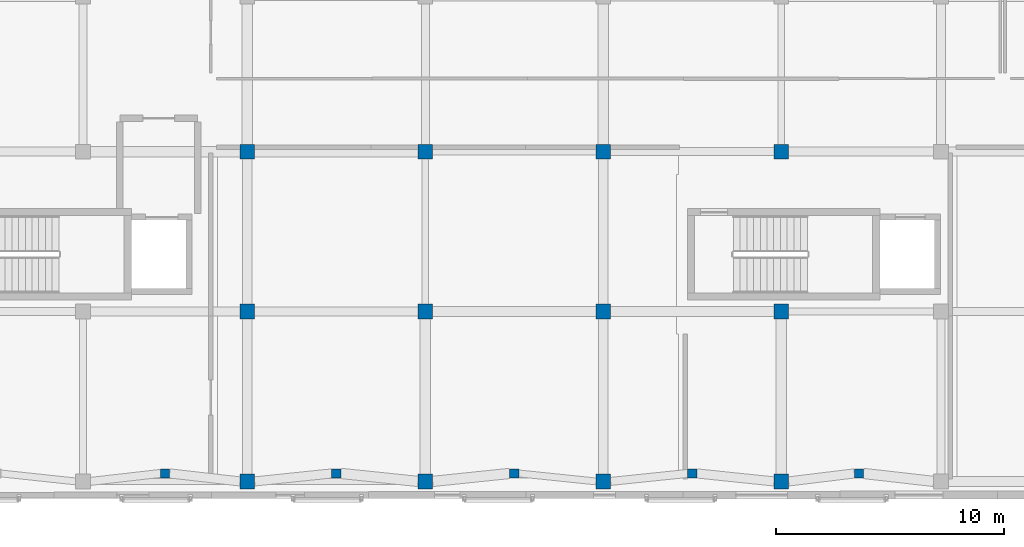
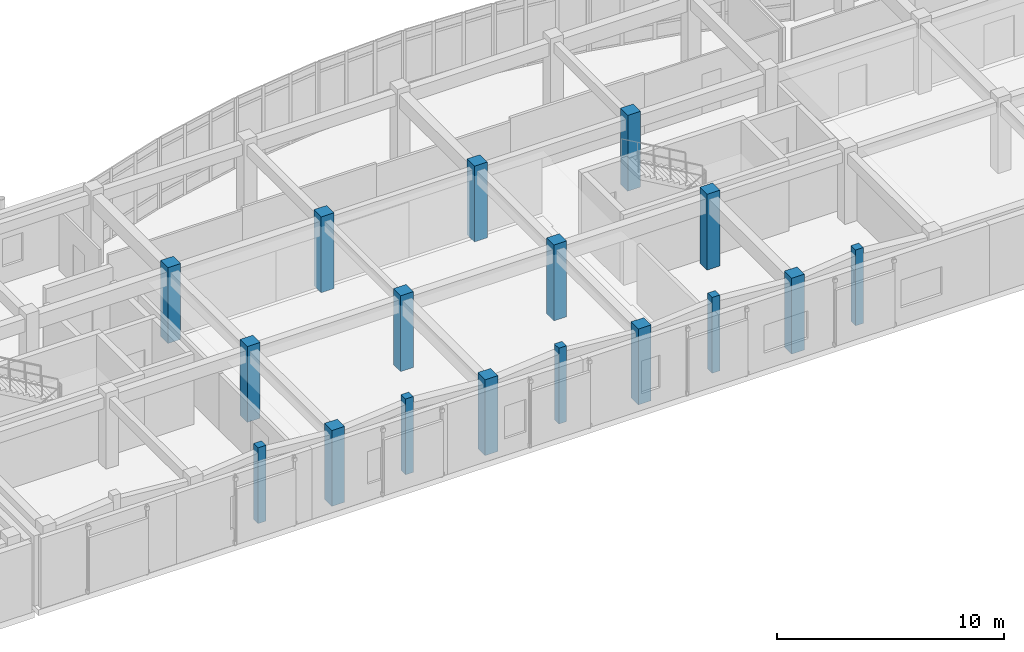
# One storey, part 5 of 146: 17 columns.
"""IFC4 building model written with IfcOpenShell, lengths in metres."""

from ifc_helpers import new_model, si_unit, direction, frame, origin, origin_2d, place, context, subcontext, project, spatial, rectangle, extrude, material, material_profile, profile_set, type_object, element, save


model = new_model("IFC4")

# Units and contexts
model_context = context("Model", 3, precision=1e-05, world=origin(), true_north=direction((0.0, 1.0)))
body_context = subcontext(model_context, "Body", "Model", "MODEL_VIEW")
ifc_project = project(units=[si_unit("LENGTHUNIT", "METRE"), si_unit("AREAUNIT", "SQUARE_METRE"), si_unit("VOLUMEUNIT", "CUBIC_METRE"), si_unit("PLANEANGLEUNIT", "RADIAN"), si_unit("MASSUNIT", "GRAM", prefix="KILO")], contexts=[model_context])

# Site, building, storey
site_placement = place(None, origin())
site = spatial("IfcSite", under=ifc_project, at=site_placement, CompositionType="ELEMENT")
building_placement = place(site_placement, origin())
building = spatial("IfcBuilding", under=site, at=building_placement, Name="Valcora Specialist Clinic", CompositionType="ELEMENT")
storey_placement = place(building_placement, frame((0.0, 0.0, 9.52001953125)))
storey = spatial("IfcBuildingStorey", under=building, at=storey_placement, Name="L02", CompositionType="ELEMENT", Elevation=9.52001953125)

# Columns
ifc_material = material(Name="Concrete C40/50", Category="concrete")
ifc_material_profile_1 = material_profile(ifc_material, rectangle(XDim=0.64990234375, YDim=0.64990234375, at=origin_2d()), Name="RC-COL-650X650")
ifc_profile_set_1 = profile_set([ifc_material_profile_1], Name="Concrete C40/50")
column_type_1 = type_object("IfcColumnType", Name="TY-COL-RC650", PredefinedType="COLUMN", material=ifc_profile_set_1)
for number, where, z_axis, x_axis, name in (
    (1, (69.0, 0.75, 0.0), (0.0, 0.0, 1.0), (1.0, 0.0, 0.0), "Column COL-L02-0787"),
    (2, (69.0, 8.199951171875, 0.0), (0.0, 0.0, 1.0), (1.0, 0.0, 0.0), "Column COL-L02-0792"),
    (3, (69.0, 15.199951171875, 0.0), (0.0, 0.0, 1.0), (1.0, 0.0, 0.0), "Column COL-L02-0798"),
    (4, (76.800048828125, 0.75, 0.0), (0.0, 0.0, 1.0), (1.0, 0.0, 0.0), "Column COL-L02-0810"),
    (5, (76.800048828125, 8.199951171875, 0.0), (0.0, 0.0, 1.0), (1.0, 0.0, 0.0), "Column COL-L02-0815"),
    (6, (76.800048828125, 15.199951171875, 0.0), (0.0, 0.0, 1.0), (1.0, 0.0, 0.0), "Column COL-L02-0821"),
    (7, (84.60009765625, 0.75, 0.0), (0.0, 0.0, 1.0), (1.0, 0.0, 0.0), "Column COL-L02-0833"),
    (8, (84.60009765625, 8.199951171875, 0.0), (0.0, 0.0, 1.0), (1.0, 0.0, 0.0), "Column COL-L02-0838"),
    (9, (84.60009765625, 15.199951171875, 0.0), (0.0, 0.0, 1.0), (1.0, 0.0, 0.0), "Column COL-L02-0844"),
    (10, (92.39990234375, 0.75, 0.0), (0.0, 0.0, 1.0), (1.0, 0.0, 0.0), "Column COL-L02-0856"),
    (11, (92.39990234375, 8.199951171875, 0.0), (0.0, 0.0, 1.0), (1.0, 0.0, 0.0), "Column COL-L02-0861"),
    (12, (92.39990234375, 15.199951171875, 0.0), (0.0, 0.0, 1.0), (1.0, 0.0, 0.0), "Column COL-L02-0867"),
):
    element("IfcColumn", number, at=place(storey_placement, frame(where, z_axis=z_axis, x_axis=x_axis)), inside=storey, type_object=column_type_1, Name=name, PredefinedType="COLUMN", context=body_context, shape_type="SweptSolid", body=[
        extrude(rectangle(XDim=0.64990234375, YDim=0.64990234375, at=origin_2d()), origin(), (0.0, 0.0, 1.0), 4.080078125),
    ])
ifc_material_profile_2 = material_profile(ifc_material, rectangle(XDim=0.39990234375, YDim=0.39990234375, at=origin_2d()), Name="RC-COL-400X400")
ifc_profile_set_2 = profile_set([ifc_material_profile_2], Name="Concrete C40/50")
column_type_2 = type_object("IfcColumnType", Name="TY-PIL-RC400", PredefinedType="PILASTER", material=ifc_profile_set_2)
for number, where, z_axis, x_axis, name in (
    (13, (65.39990234375, 1.10009765625, 0.0), (0.0, 0.0, 1.0), (1.0, 0.0, 0.0), "Column COL-L02-1061"),
    (14, (72.89990234375, 1.10009765625, 0.0), (0.0, 0.0, 1.0), (1.0, 0.0, 0.0), "Column COL-L02-1065"),
    (15, (80.699951171875, 1.10009765625, 0.0), (0.0, 0.0, 1.0), (1.0, 0.0, 0.0), "Column COL-L02-1069"),
    (16, (88.5, 1.10009765625, 0.0), (0.0, 0.0, 1.0), (1.0, 0.0, 0.0), "Column COL-L02-1073"),
    (17, (95.800048828125, 1.10009765625, 0.0), (0.0, 0.0, 1.0), (1.0, 0.0, 0.0), "Column COL-L02-1077"),
):
    element("IfcColumn", number, at=place(storey_placement, frame(where, z_axis=z_axis, x_axis=x_axis)), inside=storey, type_object=column_type_2, Name=name, PredefinedType="PILASTER", context=body_context, shape_type="SweptSolid", body=[
        extrude(rectangle(XDim=0.39990234375, YDim=0.39990234375, at=origin_2d()), origin(), (0.0, 0.0, 1.0), 4.080078125),
    ])

save(model, "model.ifc")
